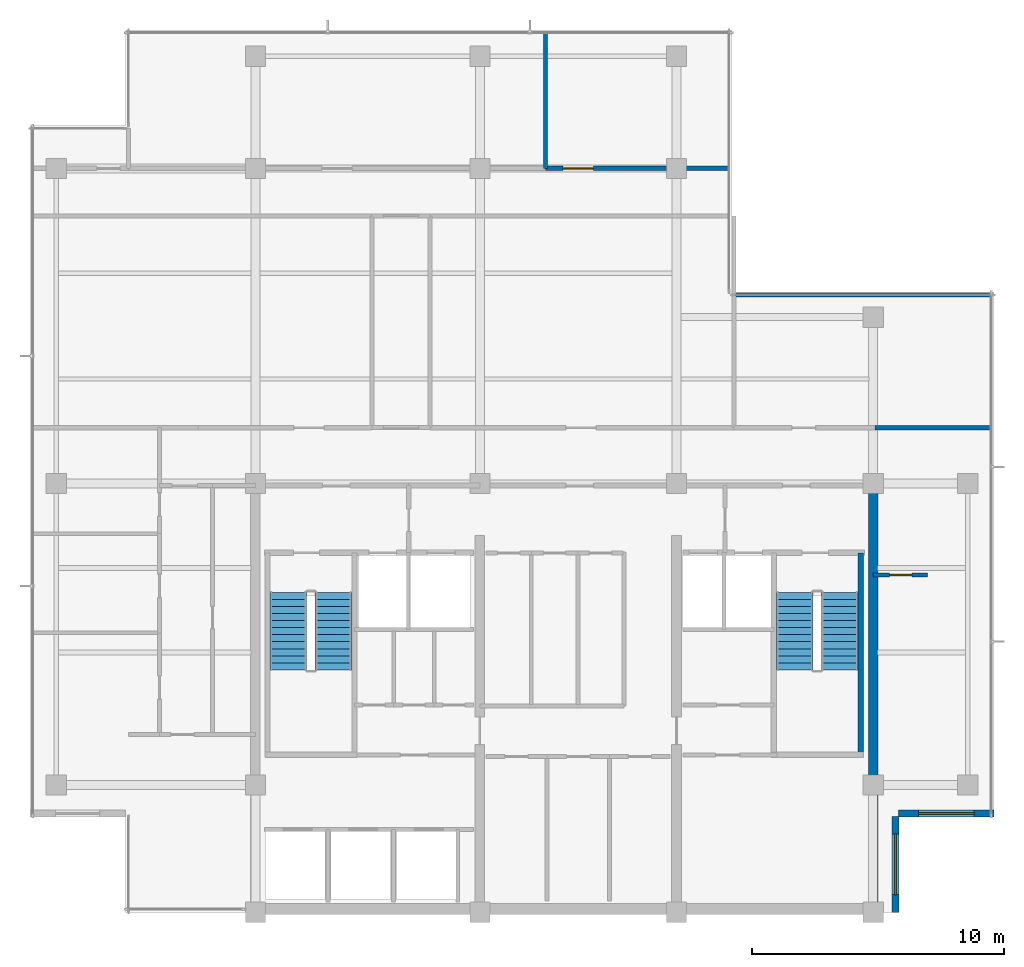
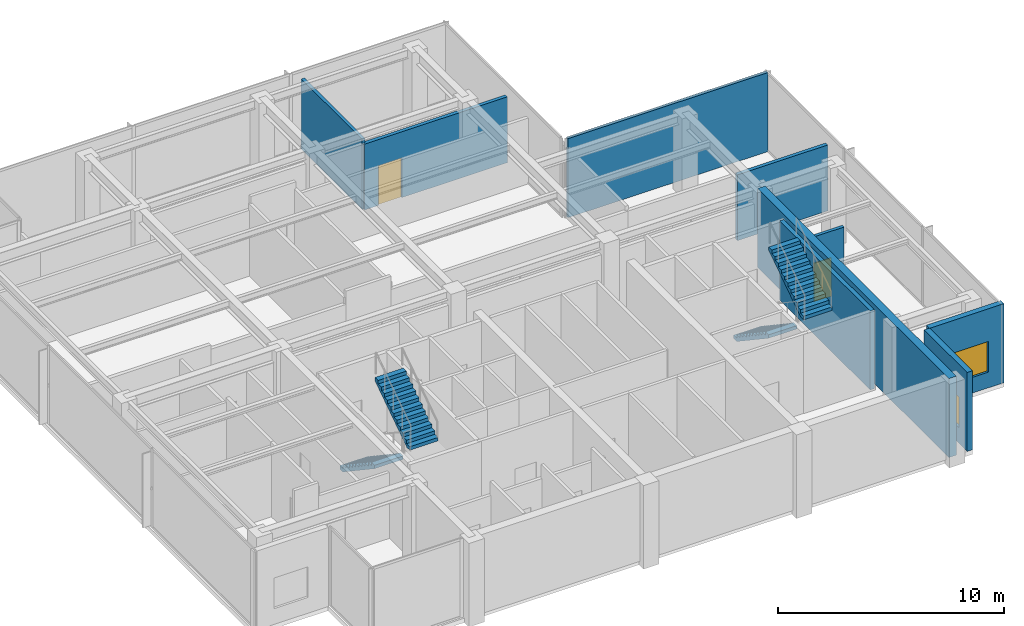
# One storey, part 8 of 11: 9 walls, 4 stair flights, 2 doors, 2 windows, 4 openings, 2 elements without a shape of their own.
"""IFC4 building model written with IfcOpenShell, lengths in metres."""

from ifc_helpers import new_model, si_unit, direction, frame, frame_2d, origin, place, context, subcontext, project, spatial, polyline, rectangle, outline, extrude, material, layer, layer_set, type_object, element, fill, aggregate, save


model = new_model("IFC4")

# Units and contexts
model_context = context("Model", 3, precision=1e-05, world=origin(), true_north=direction((0.0, 1.0)))
body_context = subcontext(model_context, "Body", "Model", "MODEL_VIEW")
ifc_project = project(units=[si_unit("LENGTHUNIT", "METRE"), si_unit("AREAUNIT", "SQUARE_METRE"), si_unit("VOLUMEUNIT", "CUBIC_METRE"), si_unit("PLANEANGLEUNIT", "RADIAN"), si_unit("MASSUNIT", "GRAM", prefix="KILO")], contexts=[model_context])

# Site, building, storey
site_placement = place(None, origin())
site = spatial("IfcSite", under=ifc_project, at=site_placement, CompositionType="ELEMENT")
building_placement = place(site_placement, origin())
building = spatial("IfcBuilding", under=site, at=building_placement, Name="Qalmaran Belvedere Hotel", CompositionType="ELEMENT")
storey_placement = place(building_placement, frame((0.0, 0.0, 285.39990234375)))
storey = spatial("IfcBuildingStorey", under=building, at=storey_placement, Name="L74", CompositionType="ELEMENT", Elevation=285.39990234375)

# Wall
ifc_material_1 = material(Name="Concrete C50/60", Category="concrete")
ifc_layer_1 = layer(ifc_material_1, 0.3798828125, Name="Concrete C50/60")
ifc_layer_set_1 = layer_set([ifc_layer_1], Name="Concrete C50/60")
wall_type_1 = type_object("IfcWallType", Name="WL-CORE-380-C50", PredefinedType="SHEAR", material=ifc_layer_set_1)
wall_1_placement = place(storey_placement, frame((44.800048828125, 3.5, 0.0), z_axis=(0.0, 0.0, 1.0), x_axis=(0.0, 1.0, 0.0)))
element("IfcWall", 1, at=wall_1_placement, inside=storey, type_object=wall_type_1, Name="L74 East Core Shear Wall", PredefinedType="SHEAR", context=body_context, shape_type="SweptSolid", body=[
    extrude(rectangle(XDim=16.89990234375, YDim=0.3798828125, at=frame_2d((8.449951171875, 0.0))), origin(), (0.0, 0.0, 1.0), 4.260009765625),
])

# Wall, opening, window
ifc_material_2 = material(Name="Anodised Bronze Cladding")
ifc_layer_2 = layer(ifc_material_2, 0.280029296875, Name="Anodised Bronze Cladding")
ifc_layer_set_2 = layer_set([ifc_layer_2], Name="Anodised Bronze Cladding")
wall_type_2 = type_object("IfcWallType", Name="WL-EXT-BRNZ-280", PredefinedType="SOLIDWALL", material=ifc_layer_set_2)
wall_2_placement = place(storey_placement, frame((45.679931640625, 3.5, 0.0), z_axis=(0.0, 0.0, 1.0), x_axis=(0.0, 1.0, 0.0)))
wall_2 = element("IfcWall", 2, at=wall_2_placement, inside=storey, type_object=wall_type_2, Name="L74 Corner Notch Wall 1", PredefinedType="SOLIDWALL", context=body_context, shape_type="SweptSolid", body=[
    extrude(rectangle(XDim=3.800048828125, YDim=0.280029296875, at=frame_2d((1.89990234375, 0.0))), origin(), (0.0, 0.0, 1.0), 4.260009765625),
])
opening_1_placement = place(wall_2_placement, frame((0.699951171875, 0.0, 0.85009765625)))
opening_1 = element("IfcOpeningElement", 3, at=opening_1_placement, cuts=wall_2, Name="Opening W-N24", PredefinedType="OPENING", context=body_context, shape_type="SweptSolid", body=[
    extrude(rectangle(XDim=2.39990234375, YDim=1.64990234375, at=frame_2d((1.199951171875, 0.824951171875))), frame((0.0, 0.14990234375, 0.0), z_axis=(0.0, -1.0, 0.0), x_axis=(1.0, 0.0, 0.0)), (0.0, 0.0, 1.0), 0.300048828125),
])
ifc_material_3 = material(Name="Solar-Control Double Glazing", Category="glass")
window_type_1 = type_object("IfcWindowType", Name="WN-NTC-2400X1650", PartitioningType="SINGLE_PANEL", PredefinedType="WINDOW", material=ifc_material_3)
window_1_placement = place(opening_1_placement, origin())
window_1 = element("IfcWindow", 4, at=window_1_placement, inside=storey, type_object=window_type_1, Name="L74 Corner Notch Window 1", OverallHeight=1.64990234375, OverallWidth=2.39990234375, PartitioningType="SINGLE_PANEL", PredefinedType="WINDOW", context=body_context, shape_type="SweptSolid", body=[
    extrude(rectangle(XDim=2.39990234375, YDim=1.64990234375, at=frame_2d((1.199951171875, 0.824951171875))), frame((0.0, 0.030029296875, 0.0), z_axis=(0.0, -1.0, 0.0), x_axis=(1.0, 0.0, 0.0)), (0.0, 0.0, 1.0), 0.06005859375),
])
fill(opening_1, window_1)

wall_3_placement = place(storey_placement, frame((45.800048828125, 7.419921875, 0.0), z_axis=(0.0, 0.0, 1.0), x_axis=(1.0, 0.0, 0.0)))
wall_3 = element("IfcWall", 5, at=wall_3_placement, inside=storey, type_object=wall_type_2, Name="L74 Corner Notch Wall 2", PredefinedType="SOLIDWALL", context=body_context, shape_type="SweptSolid", body=[
    extrude(rectangle(XDim=3.800048828125, YDim=0.280029296875, at=frame_2d((1.89990234375, 0.0))), origin(), (0.0, 0.0, 1.0), 4.260009765625),
])
opening_2_placement = place(wall_3_placement, frame((0.800048828125, 0.0, 0.85009765625)))
opening_2 = element("IfcOpeningElement", 6, at=opening_2_placement, cuts=wall_3, Name="Opening W-N22", PredefinedType="OPENING", context=body_context, shape_type="SweptSolid", body=[
    extrude(rectangle(XDim=2.199951171875, YDim=1.64990234375, at=frame_2d((1.10009765625, 0.824951171875))), frame((0.0, 0.14990234375, 0.0), z_axis=(0.0, -1.0, 0.0), x_axis=(1.0, 0.0, 0.0)), (0.0, 0.0, 1.0), 0.300048828125),
])
window_type_2 = type_object("IfcWindowType", Name="WN-NTC-2200X1650", PartitioningType="SINGLE_PANEL", PredefinedType="WINDOW", material=ifc_material_3)
window_2_placement = place(opening_2_placement, origin())
window_2 = element("IfcWindow", 7, at=window_2_placement, inside=storey, type_object=window_type_2, Name="L74 Corner Notch Window 2", OverallHeight=1.64990234375, OverallWidth=2.199951171875, PartitioningType="SINGLE_PANEL", PredefinedType="WINDOW", context=body_context, shape_type="SweptSolid", body=[
    extrude(rectangle(XDim=2.199951171875, YDim=1.64990234375, at=frame_2d((1.10009765625, 0.824951171875))), frame((0.0, 0.030029296875, 0.0), z_axis=(0.0, -1.0, 0.0), x_axis=(1.0, 0.0, 0.0)), (0.0, 0.0, 1.0), 0.06005859375),
])
fill(opening_2, window_2)

# Wall, opening, door
ifc_material_4 = material(Name="Gypsum Stud Partition")
ifc_layer_3 = layer(ifc_material_4, 0.159912109375, Name="Gypsum Stud Partition")
ifc_layer_set_3 = layer_set([ifc_layer_3], Name="Gypsum Stud Partition")
wall_type_3 = type_object("IfcWallType", Name="WL-INT-160-EI60", PredefinedType="PARTITIONING", material=ifc_layer_set_3)
wall_4_placement = place(storey_placement, frame((44.800048828125, 16.8798828125, 0.0), z_axis=(0.0, 0.0, 1.0), x_axis=(1.0, 0.0, 0.0)))
wall_4 = element("IfcWall", 8, at=wall_4_placement, inside=storey, type_object=wall_type_3, Name="L74 Partition WL-L74-ECE", PredefinedType="PARTITIONING", context=body_context, shape_type="SweptSolid", body=[
    extrude(rectangle(XDim=2.14990234375, YDim=0.159912109375, at=frame_2d((1.074951171875, 0.0))), origin(), (0.0, 0.0, 1.0), 3.550048828125),
])
opening_3_placement = place(wall_4_placement, frame((1.52978515625, 0.0, 0.0), z_axis=(0.0, 0.0, 1.0), x_axis=(-1.0, 0.0, 0.0)))
opening_3 = element("IfcOpeningElement", 9, at=opening_3_placement, cuts=wall_4, Name="Opening FD60B", PredefinedType="OPENING", context=body_context, shape_type="SweptSolid", body=[
    extrude(rectangle(XDim=0.8798828125, YDim=2.080078125, at=frame_2d((0.43994140625, 1.0400390625))), frame((0.0, 0.08984375, 0.0), z_axis=(0.0, -1.0, 0.0), x_axis=(1.0, 0.0, 0.0)), (0.0, 0.0, 1.0), 0.179931640625),
])
ifc_material_5 = material(Name="Steel S355JR", Category="steel")
door_type_1 = type_object("IfcDoorType", Name="DR-FD60B-880X2080", OperationType="NOTDEFINED", PredefinedType="DOOR", material=ifc_material_5)
door_1_placement = place(opening_3_placement, origin())
door_1 = element("IfcDoor", 10, at=door_1_placement, inside=storey, type_object=door_type_1, Name="L74 Sky Finishing Kitchen Door", OperationType="SINGLE_SWING_LEFT", OverallHeight=2.080078125, OverallWidth=0.8798828125, PredefinedType="DOOR", context=body_context, shape_type="SweptSolid", body=[
    extrude(rectangle(XDim=0.8798828125, YDim=2.080078125, at=frame_2d((0.43994140625, 1.0400390625))), frame((0.0, 0.02490234375, 0.0), z_axis=(0.0, -1.0, 0.0), x_axis=(1.0, 0.0, 0.0)), (0.0, 0.0, 1.0), 0.050048828125),
])
fill(opening_3, door_1)

# Walls
wall_5_placement = place(storey_placement, frame((39.280029296875, 27.97998046875, 0.0), z_axis=(0.0, 0.0, 1.0), x_axis=(1.0, 0.0, 0.0)))
element("IfcWall", 11, at=wall_5_placement, inside=storey, type_object=wall_type_3, Name="L74 Partition WL-L74-SOMN", PredefinedType="PARTITIONING", context=body_context, shape_type="SweptSolid", body=[
    extrude(rectangle(XDim=10.199951171875, YDim=0.159912109375, at=frame_2d((5.10009765625, 0.0))), origin(), (0.0, 0.0, 1.0), 4.260009765625),
])
wall_6_placement = place(storey_placement, frame((31.800048828125, 33.0, 0.0), z_axis=(0.0, 0.0, 1.0), x_axis=(0.0, 1.0, 0.0)))
element("IfcWall", 12, at=wall_6_placement, inside=storey, type_object=wall_type_3, Name="L74 Partition WL-L74-NFV1", PredefinedType="PARTITIONING", context=body_context, shape_type="SweptSolid", body=[
    extrude(rectangle(XDim=5.3798828125, YDim=0.159912109375, at=frame_2d((2.68994140625, 0.0))), origin(), (0.0, 0.0, 1.0), 3.781982421875),
])
ifc_layer_4 = layer(ifc_material_4, 0.179931640625, Name="Gypsum Stud Partition")
ifc_layer_set_4 = layer_set([ifc_layer_4], Name="Gypsum Stud Partition")
wall_type_4 = type_object("IfcWallType", Name="WL-INT-180-EI60", PredefinedType="PARTITIONING", material=ifc_layer_set_4)
wall_7_placement = place(storey_placement, frame((44.8798828125, 22.719970703125, 0.0), z_axis=(0.0, 0.0, 1.0), x_axis=(1.0, 0.0, 0.0)))
element("IfcWall", 13, at=wall_7_placement, inside=storey, type_object=wall_type_4, Name="L74 Partition WL-L74-MCS2C", PredefinedType="PARTITIONING", context=body_context, shape_type="SweptSolid", body=[
    extrude(rectangle(XDim=4.60009765625, YDim=0.179931640625, at=frame_2d((2.300048828125, 0.0))), origin(), (0.0, 0.0, 1.0), 3.550048828125),
])

# Wall, opening, door
wall_8_placement = place(storey_placement, frame((31.800048828125, 33.0, 0.0), z_axis=(0.0, 0.0, 1.0), x_axis=(1.0, 0.0, 0.0)))
wall_8 = element("IfcWall", 14, at=wall_8_placement, inside=storey, type_object=wall_type_4, Name="L74 Partition WL-L74-NF33D2", PredefinedType="PARTITIONING", context=body_context, shape_type="SweptSolid", body=[
    extrude(rectangle(XDim=7.280029296875, YDim=0.179931640625, at=frame_2d((3.64013671875, 0.0))), origin(), (0.0, 0.0, 1.0), 3.550048828125),
])
opening_4_placement = place(wall_8_placement, frame((0.699951171875, 0.0, 0.0)))
opening_4 = element("IfcOpeningElement", 15, at=opening_4_placement, cuts=wall_8, Name="Opening FD60P", PredefinedType="OPENING", context=body_context, shape_type="SweptSolid", body=[
    extrude(rectangle(XDim=1.199951171875, YDim=2.139892578125, at=frame_2d((0.60009765625, 1.06982421875))), frame((0.0, 0.10009765625, 0.0), z_axis=(0.0, -1.0, 0.0), x_axis=(1.0, 0.0, 0.0)), (0.0, 0.0, 1.0), 0.199951171875),
])
ifc_material_6 = material(Name="Engineered Oak Veneer")
door_type_2 = type_object("IfcDoorType", Name="DR-FD60P-1200X2140", OperationType="NOTDEFINED", PredefinedType="DOOR", material=ifc_material_6)
door_2_placement = place(opening_4_placement, origin())
door_2 = element("IfcDoor", 16, at=door_2_placement, inside=storey, type_object=door_type_2, Name="L74 Panoramic Dining Salon Door", OperationType="DOUBLE_DOOR_SINGLE_SWING", OverallHeight=2.139892578125, OverallWidth=1.199951171875, PredefinedType="DOOR", context=body_context, shape_type="SweptSolid", body=[
    extrude(rectangle(XDim=1.199951171875, YDim=2.139892578125, at=frame_2d((0.60009765625, 1.06982421875))), frame((0.0, 0.02490234375, 0.0), z_axis=(0.0, -1.0, 0.0), x_axis=(1.0, 0.0, 0.0)), (0.0, 0.0, 1.0), 0.050048828125),
])
fill(opening_4, door_2)

# Wall
ifc_layer_5 = layer(ifc_material_1, 0.2099609375, Name="Concrete C50/60")
ifc_layer_set_5 = layer_set([ifc_layer_5], Name="Concrete C50/60")
wall_type_5 = type_object("IfcWallType", Name="WL-STAIR-210-C50", PredefinedType="SHEAR", material=ifc_layer_set_5)
wall_9_placement = place(storey_placement, frame((44.304931640625, 9.7451171875, 0.0), z_axis=(0.0, 0.0, 1.0), x_axis=(0.0, 1.0, 0.0)))
element("IfcWall", 17, at=wall_9_placement, inside=storey, type_object=wall_type_5, Name="L74 Stair ST-2 East Bearing Wall", PredefinedType="SHEAR", context=body_context, shape_type="SweptSolid", body=[
    extrude(rectangle(XDim=8.009765625, YDim=0.2099609375, at=frame_2d((4.0048828125, 0.0))), origin(), (0.0, 0.0, 1.0), 4.260009765625),
])

# Stair, stair flights
ifc_material_7 = material(Name="Concrete C40/50", Category="concrete")
stair_type_1 = type_object("IfcStairType", Name="STR-ST-1-1450-R1875", PredefinedType="HALF_TURN_STAIR", material=ifc_material_7)
stair_1_placement = place(storey_placement, origin())
stair_1 = element("IfcStair", 18, at=stair_1_placement, inside=storey, type_object=stair_type_1, Name="L74 West Core Exit Stair ST-1", PredefinedType="HALF_TURN_STAIR")
ifc_layer_6 = layer(ifc_material_7, 0.14990234375, Name="Concrete C40/50")
ifc_layer_set_6 = layer_set([ifc_layer_6], Name="Concrete C40/50")
stair_flight_type_1 = type_object("IfcStairFlightType", Name="STF-ST-1-1450-R1875", PredefinedType="STRAIGHT", material=ifc_layer_set_6)
stair_flight_1_placement = place(storey_placement, frame((21.60498046875, 16.18994140625, 0.0), z_axis=(0.0, 0.0, 1.0), x_axis=(0.0, -1.0, 0.0)))
stair_flight_1 = element("IfcStairFlight", 19, at=stair_flight_1_placement, type_object=stair_flight_type_1, Name="ST-1 flight 1", NumberOfRisers=12, NumberOfTreads=11, PredefinedType="STRAIGHT", RiserHeight=0.1875, TreadLength=0.28, context=body_context, shape_type="SweptSolid", body=[
    extrude(outline(polyline([(0.0, 0.0), (0.0, 0.1875), (0.280029296875, 0.1875), (0.280029296875, 0.375), (0.56005859375, 0.375), (0.56005859375, 0.5625), (0.840087890625, 0.5625), (0.840087890625, 0.75), (1.1201171875, 0.75), (1.1201171875, 0.9375), (1.39990234375, 0.9375), (1.39990234375, 1.125), (1.679931640625, 1.125), (1.679931640625, 1.3125), (1.9599609375, 1.3125), (1.9599609375, 1.5), (2.239990234375, 1.5), (2.239990234375, 1.6875), (2.52001953125, 1.6875), (2.52001953125, 1.875), (2.800048828125, 1.875), (2.800048828125, 2.0625), (3.080078125, 2.0625), (3.080078125, 2.25), (3.080078125, 1.882080078125), (0.26953125, 0.0), (0.0, 0.0)])), frame((0.0, 0.72509765625, 0.0), z_axis=(0.0, -1.0, 0.0), x_axis=(1.0, 0.0, 0.0)), (0.0, 0.0, 1.0), 1.449951171875),
])
stair_flight_2_placement = place(storey_placement, frame((23.39501953125, 13.110107421875, 2.25), z_axis=(0.0, 0.0, 1.0), x_axis=(0.0, 1.0, 0.0)))
stair_flight_2 = element("IfcStairFlight", 20, at=stair_flight_2_placement, type_object=stair_flight_type_1, Name="ST-1 flight 2", NumberOfRisers=12, NumberOfTreads=11, PredefinedType="STRAIGHT", RiserHeight=0.1875, TreadLength=0.28, context=body_context, shape_type="SweptSolid", body=[
    extrude(outline(polyline([(0.0, 0.0), (0.0, 0.1875), (0.280029296875, 0.1875), (0.280029296875, 0.375), (0.56005859375, 0.375), (0.56005859375, 0.5625), (0.840087890625, 0.5625), (0.840087890625, 0.75), (1.1201171875, 0.75), (1.1201171875, 0.9375), (1.39990234375, 0.9375), (1.39990234375, 1.125), (1.679931640625, 1.125), (1.679931640625, 1.3125), (1.9599609375, 1.3125), (1.9599609375, 1.5), (2.239990234375, 1.5), (2.239990234375, 1.6875), (2.52001953125, 1.6875), (2.52001953125, 1.875), (2.800048828125, 1.875), (2.800048828125, 2.0625), (3.080078125, 2.0625), (3.080078125, 2.25), (3.080078125, 1.882080078125), (0.26953125, 0.0), (0.0, 0.0)])), frame((0.0, 0.72509765625, 0.0), z_axis=(0.0, -1.0, 0.0), x_axis=(1.0, 0.0, 0.0)), (0.0, 0.0, 1.0), 1.449951171875),
])
aggregate(stair_1, [stair_flight_1, stair_flight_2])

stair_type_2 = type_object("IfcStairType", Name="STR-ST-2-1450-R1875", PredefinedType="HALF_TURN_STAIR", material=ifc_material_7)
stair_2_placement = place(storey_placement, origin())
stair_2 = element("IfcStair", 21, at=stair_2_placement, inside=storey, type_object=stair_type_2, Name="L74 East Core Exit Stair ST-2", PredefinedType="HALF_TURN_STAIR")
ifc_layer_7 = layer(ifc_material_7, 0.14990234375, Name="Concrete C40/50")
ifc_layer_set_7 = layer_set([ifc_layer_7], Name="Concrete C40/50")
stair_flight_type_2 = type_object("IfcStairFlightType", Name="STF-ST-2-1450-R1875", PredefinedType="STRAIGHT", material=ifc_layer_set_7)
stair_flight_3_placement = place(storey_placement, frame((41.68505859375, 16.18994140625, 0.0), z_axis=(0.0, 0.0, 1.0), x_axis=(0.0, -1.0, 0.0)))
stair_flight_3 = element("IfcStairFlight", 22, at=stair_flight_3_placement, type_object=stair_flight_type_2, Name="ST-2 flight 1", NumberOfRisers=12, NumberOfTreads=11, PredefinedType="STRAIGHT", RiserHeight=0.1875, TreadLength=0.28, context=body_context, shape_type="SweptSolid", body=[
    extrude(outline(polyline([(0.0, 0.0), (0.0, 0.1875), (0.280029296875, 0.1875), (0.280029296875, 0.375), (0.56005859375, 0.375), (0.56005859375, 0.5625), (0.840087890625, 0.5625), (0.840087890625, 0.75), (1.1201171875, 0.75), (1.1201171875, 0.9375), (1.39990234375, 0.9375), (1.39990234375, 1.125), (1.679931640625, 1.125), (1.679931640625, 1.3125), (1.9599609375, 1.3125), (1.9599609375, 1.5), (2.239990234375, 1.5), (2.239990234375, 1.6875), (2.52001953125, 1.6875), (2.52001953125, 1.875), (2.800048828125, 1.875), (2.800048828125, 2.0625), (3.080078125, 2.0625), (3.080078125, 2.25), (3.080078125, 1.882080078125), (0.26953125, 0.0), (0.0, 0.0)])), frame((0.0, 0.72509765625, 0.0), z_axis=(0.0, -1.0, 0.0), x_axis=(1.0, 0.0, 0.0)), (0.0, 0.0, 1.0), 1.449951171875),
])
stair_flight_4_placement = place(storey_placement, frame((43.47509765625, 13.110107421875, 2.25), z_axis=(0.0, 0.0, 1.0), x_axis=(0.0, 1.0, 0.0)))
stair_flight_4 = element("IfcStairFlight", 23, at=stair_flight_4_placement, type_object=stair_flight_type_2, Name="ST-2 flight 2", NumberOfRisers=12, NumberOfTreads=11, PredefinedType="STRAIGHT", RiserHeight=0.1875, TreadLength=0.28, context=body_context, shape_type="SweptSolid", body=[
    extrude(outline(polyline([(0.0, 0.0), (0.0, 0.1875), (0.280029296875, 0.1875), (0.280029296875, 0.375), (0.56005859375, 0.375), (0.56005859375, 0.5625), (0.840087890625, 0.5625), (0.840087890625, 0.75), (1.1201171875, 0.75), (1.1201171875, 0.9375), (1.39990234375, 0.9375), (1.39990234375, 1.125), (1.679931640625, 1.125), (1.679931640625, 1.3125), (1.9599609375, 1.3125), (1.9599609375, 1.5), (2.239990234375, 1.5), (2.239990234375, 1.6875), (2.52001953125, 1.6875), (2.52001953125, 1.875), (2.800048828125, 1.875), (2.800048828125, 2.0625), (3.080078125, 2.0625), (3.080078125, 2.25), (3.080078125, 1.882080078125), (0.26953125, 0.0), (0.0, 0.0)])), frame((0.0, 0.72509765625, 0.0), z_axis=(0.0, -1.0, 0.0), x_axis=(1.0, 0.0, 0.0)), (0.0, 0.0, 1.0), 1.449951171875),
])
aggregate(stair_2, [stair_flight_3, stair_flight_4])

save(model, "model.ifc")
